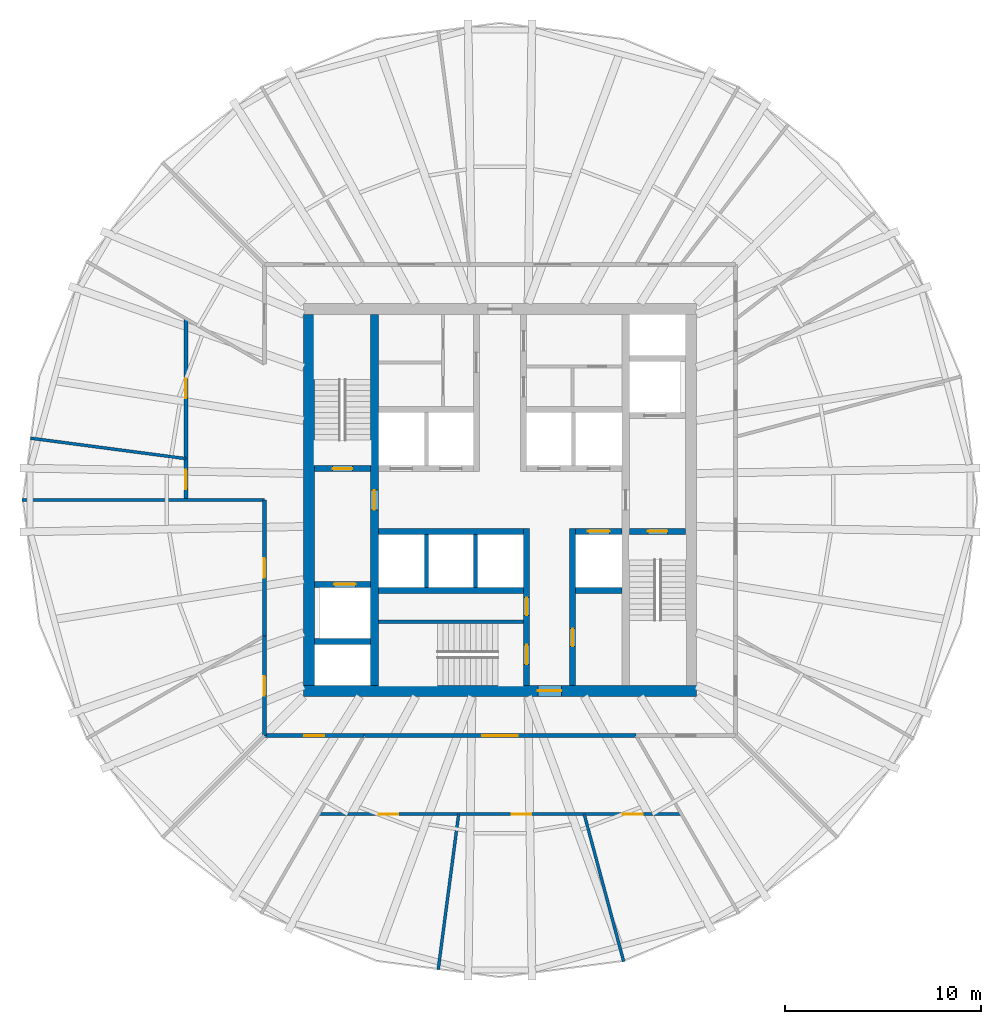
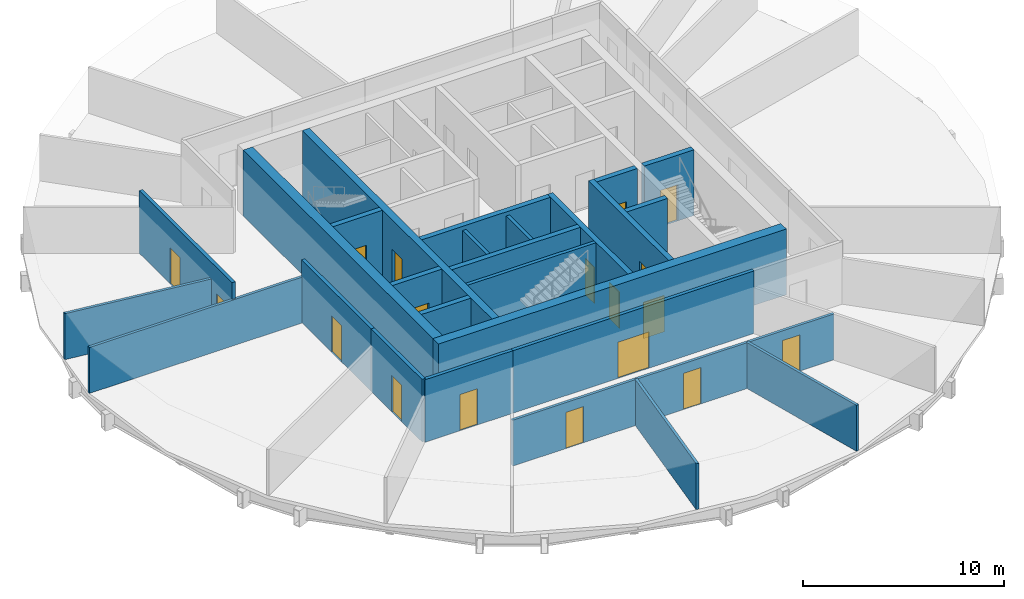
# One storey, part 3 of 6: 26 walls, 18 doors, 18 openings.
"""IFC4 building model written with IfcOpenShell, lengths in metres."""

from ifc_helpers import new_model, si_unit, direction, frame, frame_2d, origin, place, context, subcontext, project, spatial, rectangle, extrude, material, layer, layer_set, type_object, element, fill, save


model = new_model("IFC4")

# Units and contexts
model_context = context("Model", 3, precision=1e-05, world=origin(), true_north=direction((0.0, 1.0)))
body_context = subcontext(model_context, "Body", "Model", "MODEL_VIEW")
ifc_project = project(units=[si_unit("LENGTHUNIT", "METRE"), si_unit("AREAUNIT", "SQUARE_METRE"), si_unit("VOLUMEUNIT", "CUBIC_METRE"), si_unit("PLANEANGLEUNIT", "RADIAN"), si_unit("MASSUNIT", "GRAM", prefix="KILO")], contexts=[model_context])

# Site, building, storey
site_placement = place(None, origin())
site = spatial("IfcSite", under=ifc_project, at=site_placement, CompositionType="ELEMENT")
building_placement = place(site_placement, origin())
building = spatial("IfcBuilding", under=site, at=building_placement, Name="Golbaran Civic Tower", CompositionType="ELEMENT")
storey_placement = place(building_placement, frame((0.0, 0.0, 146.0)))
storey = spatial("IfcBuildingStorey", under=building, at=storey_placement, Name="L35", CompositionType="ELEMENT", Elevation=146.0)

# Wall, opening, door
ifc_material_1 = material(Name="Concrete C50/60", Category="concrete")
ifc_layer_1 = layer(ifc_material_1, 0.39990234375, Name="Concrete C50/60")
ifc_layer_set_1 = layer_set([ifc_layer_1], Name="Concrete C50/60")
wall_type_1 = type_object("IfcWallType", Name="CORE WALL CONCRETE 400", PredefinedType="SOLIDWALL", material=ifc_layer_set_1)
wall_1_placement = place(storey_placement, frame((-6.39990234375, -9.449951171875, 0.0), z_axis=(0.0, 0.0, 1.0), x_axis=(0.0, 1.0, 0.0)))
wall_1 = element("IfcWall", 1, at=wall_1_placement, inside=storey, type_object=wall_type_1, Name="Core wall IW L35", PredefinedType="SOLIDWALL", context=body_context, shape_type="SweptSolid", body=[
    extrude(rectangle(XDim=18.89990234375, YDim=0.39990234375, at=frame_2d((9.449951171875, 0.0))), origin(), (0.0, 0.0, 1.0), 4.0),
])
opening_1_placement = place(wall_1_placement, frame((8.949951171875, 0.0, 0.0)))
opening_1 = element("IfcOpeningElement", 2, at=opening_1_placement, cuts=wall_1, Name="Opening L35.FL1", PredefinedType="OPENING", context=body_context, shape_type="SweptSolid", body=[
    extrude(rectangle(XDim=1.0, YDim=2.199951171875, at=frame_2d((0.5, 1.10009765625))), frame((0.0, 0.2099609375, 0.0), z_axis=(0.0, -1.0, 0.0), x_axis=(1.0, 0.0, 0.0)), (0.0, 0.0, 1.0), 0.419921875),
])
ifc_material_2 = material(Name="Timber door set in steel frame", Category="steel")
door_type_1 = type_object("IfcDoorType", Name="STAIR DOOR 1000x2200", OperationType="SINGLE_SWING_LEFT", PredefinedType="DOOR", material=ifc_material_2)
door_1_placement = place(opening_1_placement, origin())
door_1 = element("IfcDoor", 3, at=door_1_placement, inside=storey, type_object=door_type_1, Name="Fire-fighting lobby FL1 door", OperationType="SINGLE_SWING_LEFT", OverallHeight=2.199951171875, OverallWidth=1.0, PredefinedType="DOOR", context=body_context, shape_type="SweptSolid", body=[
    extrude(rectangle(XDim=1.0, YDim=2.199951171875, at=frame_2d((0.5, 1.10009765625))), frame((0.0, 0.02490234375, 0.0), z_axis=(0.0, -1.0, 0.0), x_axis=(1.0, 0.0, 0.0)), (0.0, 0.0, 1.0), 0.050048828125),
])
fill(opening_1, door_1)

ifc_layer_2 = layer(ifc_material_1, 0.550048828125, Name="Concrete C50/60")
ifc_layer_set_2 = layer_set([ifc_layer_2], Name="Concrete C50/60")
wall_type_2 = type_object("IfcWallType", Name="CORE WALL CONCRETE 550", PredefinedType="SOLIDWALL", material=ifc_layer_set_2)
wall_2_placement = place(storey_placement, frame((10.0, -9.72509765625, 0.0), z_axis=(0.0, 0.0, 1.0), x_axis=(-1.0, 0.0, 0.0)))
wall_2 = element("IfcWall", 4, at=wall_2_placement, inside=storey, type_object=wall_type_2, Name="Core wall CS L35", PredefinedType="SOLIDWALL", context=body_context, shape_type="SweptSolid", body=[
    extrude(rectangle(XDim=20.0, YDim=0.550048828125, at=frame_2d((10.0, 0.0))), origin(), (0.0, 0.0, 1.0), 4.0),
])
opening_2_placement = place(wall_2_placement, frame((6.875, 0.0, 0.0)))
opening_2 = element("IfcOpeningElement", 5, at=opening_2_placement, cuts=wall_2, Name="Opening L35.CS", PredefinedType="OPENING", context=body_context, shape_type="SweptSolid", body=[
    extrude(rectangle(XDim=1.199951171875, YDim=2.199951171875, at=frame_2d((0.60009765625, 1.10009765625))), frame((0.0, 0.284912109375, 0.0), z_axis=(0.0, -1.0, 0.0), x_axis=(1.0, 0.0, 0.0)), (0.0, 0.0, 1.0), 0.570068359375),
])
door_type_2 = type_object("IfcDoorType", Name="CORE DOOR 1200x2200", OperationType="DOUBLE_DOOR_SINGLE_SWING", PredefinedType="DOOR", material=ifc_material_2)
door_2_placement = place(opening_2_placement, origin())
door_2 = element("IfcDoor", 6, at=door_2_placement, inside=storey, type_object=door_type_2, Name="Core door south", OperationType="DOUBLE_DOOR_SINGLE_SWING", OverallHeight=2.199951171875, OverallWidth=1.199951171875, PredefinedType="DOOR", context=body_context, shape_type="SweptSolid", body=[
    extrude(rectangle(XDim=1.199951171875, YDim=2.199951171875, at=frame_2d((0.60009765625, 1.10009765625))), frame((0.0, 0.02490234375, 0.0), z_axis=(0.0, -1.0, 0.0), x_axis=(1.0, 0.0, 0.0)), (0.0, 0.0, 1.0), 0.050048828125),
])
fill(opening_2, door_2)

# Wall
wall_3_placement = place(storey_placement, frame((-9.72509765625, 9.449951171875, 0.0), z_axis=(0.0, 0.0, 1.0), x_axis=(0.0, -1.0, 0.0)))
element("IfcWall", 7, at=wall_3_placement, inside=storey, type_object=wall_type_2, Name="Core wall CW L35", PredefinedType="SOLIDWALL", context=body_context, shape_type="SweptSolid", body=[
    extrude(rectangle(XDim=18.89990234375, YDim=0.550048828125, at=frame_2d((9.449951171875, 0.0))), origin(), (0.0, 0.0, 1.0), 4.0),
])

# Wall, opening, door
ifc_material_3 = material(Name="Gypsum board on steel studs, fire-rated", Category="steel")
ifc_layer_3 = layer(ifc_material_3, 0.199951171875, Name="Gypsum board on steel studs, fire-rated")
ifc_layer_set_3 = layer_set([ifc_layer_3], Name="Gypsum board on steel studs, fire-rated")
wall_type_3 = type_object("IfcWallType", Name="CORRIDOR WALL 200", PredefinedType="PARTITIONING", material=ifc_layer_set_3)
wall_4_placement = place(storey_placement, frame((-12.0, 0.0, 0.0), z_axis=(0.0, 0.0, 1.0), x_axis=(0.0, -1.0, 0.0)))
wall_4 = element("IfcWall", 8, at=wall_4_placement, inside=storey, type_object=wall_type_3, Name="Corridor wall L35", PredefinedType="PARTITIONING", context=body_context, shape_type="SweptSolid", body=[
    extrude(rectangle(XDim=6.92822265625, YDim=0.199951171875, at=frame_2d((3.464111328125, 0.0))), origin(), (0.0, 0.0, 1.0), 3.800048828125),
])
opening_3_placement = place(wall_4_placement, frame((2.964111328125, 0.0, 0.0)))
opening_3 = element("IfcOpeningElement", 9, at=opening_3_placement, cuts=wall_4, Name="Opening L35.16", PredefinedType="OPENING", context=body_context, shape_type="SweptSolid", body=[
    extrude(rectangle(XDim=1.0, YDim=2.199951171875, at=frame_2d((0.5, 1.10009765625))), frame((0.0, 0.10986328125, 0.0), z_axis=(0.0, -1.0, 0.0), x_axis=(1.0, 0.0, 0.0)), (0.0, 0.0, 1.0), 0.219970703125),
])
door_type_3 = type_object("IfcDoorType", Name="OFFICE DOOR 1000x2200", OperationType="SINGLE_SWING_LEFT", PredefinedType="DOOR", material=ifc_material_2)
door_3_placement = place(opening_3_placement, origin())
door_3 = element("IfcDoor", 10, at=door_3_placement, inside=storey, type_object=door_type_3, Name="Project Room door L35", OperationType="SINGLE_SWING_RIGHT", OverallHeight=2.199951171875, OverallWidth=1.0, PredefinedType="DOOR", context=body_context, shape_type="SweptSolid", body=[
    extrude(rectangle(XDim=1.0, YDim=2.199951171875, at=frame_2d((0.5, 1.10009765625))), frame((0.0, 0.02490234375, 0.0), z_axis=(0.0, -1.0, 0.0), x_axis=(1.0, 0.0, 0.0)), (0.0, 0.0, 1.0), 0.050048828125),
])
fill(opening_3, door_3)

wall_5_placement = place(storey_placement, frame((-12.0, -6.92822265625, 0.0), z_axis=(0.0, 0.0, 1.0), x_axis=(0.0, -1.0, 0.0)))
wall_5 = element("IfcWall", 11, at=wall_5_placement, inside=storey, type_object=wall_type_3, Name="Corridor wall L35", PredefinedType="PARTITIONING", context=body_context, shape_type="SweptSolid", body=[
    extrude(rectangle(XDim=5.07177734375, YDim=0.199951171875, at=frame_2d((2.535888671875, 0.0))), origin(), (0.0, 0.0, 1.0), 3.800048828125),
])
opening_4_placement = place(wall_5_placement, frame((2.035888671875, 0.0, 0.0)))
opening_4 = element("IfcOpeningElement", 12, at=opening_4_placement, cuts=wall_5, Name="Opening L35.17", PredefinedType="OPENING", context=body_context, shape_type="SweptSolid", body=[
    extrude(rectangle(XDim=1.0, YDim=2.199951171875, at=frame_2d((0.5, 1.10009765625))), frame((0.0, 0.10986328125, 0.0), z_axis=(0.0, -1.0, 0.0), x_axis=(1.0, 0.0, 0.0)), (0.0, 0.0, 1.0), 0.219970703125),
])
door_4_placement = place(opening_4_placement, origin())
door_4 = element("IfcDoor", 13, at=door_4_placement, inside=storey, type_object=door_type_3, Name="Print and Copy Room door L35", OperationType="SINGLE_SWING_RIGHT", OverallHeight=2.199951171875, OverallWidth=1.0, PredefinedType="DOOR", context=body_context, shape_type="SweptSolid", body=[
    extrude(rectangle(XDim=1.0, YDim=2.199951171875, at=frame_2d((0.5, 1.10009765625))), frame((0.0, 0.02490234375, 0.0), z_axis=(0.0, -1.0, 0.0), x_axis=(1.0, 0.0, 0.0)), (0.0, 0.0, 1.0), 0.050048828125),
])
fill(opening_4, door_4)

wall_6_placement = place(storey_placement, frame((-12.0, -12.0, 0.0), z_axis=(0.0, 0.0, 1.0), x_axis=(1.0, 0.0, 0.0)))
wall_6 = element("IfcWall", 14, at=wall_6_placement, inside=storey, type_object=wall_type_3, Name="Corridor wall L35", PredefinedType="PARTITIONING", context=body_context, shape_type="SweptSolid", body=[
    extrude(rectangle(XDim=5.07177734375, YDim=0.199951171875, at=frame_2d((2.535888671875, 0.0))), origin(), (0.0, 0.0, 1.0), 3.800048828125),
])
opening_5_placement = place(wall_6_placement, frame((2.035888671875, 0.0, 0.0)))
opening_5 = element("IfcOpeningElement", 15, at=opening_5_placement, cuts=wall_6, Name="Opening L35.18", PredefinedType="OPENING", context=body_context, shape_type="SweptSolid", body=[
    extrude(rectangle(XDim=1.0, YDim=2.199951171875, at=frame_2d((0.5, 1.10009765625))), frame((0.0, 0.10986328125, 0.0), z_axis=(0.0, -1.0, 0.0), x_axis=(1.0, 0.0, 0.0)), (0.0, 0.0, 1.0), 0.219970703125),
])
door_5_placement = place(opening_5_placement, origin())
door_5 = element("IfcDoor", 16, at=door_5_placement, inside=storey, type_object=door_type_3, Name="Store door L35", OperationType="SINGLE_SWING_LEFT", OverallHeight=2.199951171875, OverallWidth=1.0, PredefinedType="DOOR", context=body_context, shape_type="SweptSolid", body=[
    extrude(rectangle(XDim=1.0, YDim=2.199951171875, at=frame_2d((0.5, 1.10009765625))), frame((0.0, 0.02490234375, 0.0), z_axis=(0.0, -1.0, 0.0), x_axis=(1.0, 0.0, 0.0)), (0.0, 0.0, 1.0), 0.050048828125),
])
fill(opening_5, door_5)

wall_7_placement = place(storey_placement, frame((-6.92822265625, -12.0, 0.0), z_axis=(0.0, 0.0, 1.0), x_axis=(1.0, 0.0, 0.0)))
wall_7 = element("IfcWall", 17, at=wall_7_placement, inside=storey, type_object=wall_type_3, Name="Corridor wall L35", PredefinedType="PARTITIONING", context=body_context, shape_type="SweptSolid", body=[
    extrude(rectangle(XDim=13.8564453125, YDim=0.199951171875, at=frame_2d((6.92822265625, 0.0))), origin(), (0.0, 0.0, 1.0), 3.800048828125),
])
opening_6_placement = place(wall_7_placement, frame((6.0283203125, 0.0, 0.0)))
opening_6 = element("IfcOpeningElement", 18, at=opening_6_placement, cuts=wall_7, Name="Opening L35.19", PredefinedType="OPENING", context=body_context, shape_type="SweptSolid", body=[
    extrude(rectangle(XDim=1.800048828125, YDim=2.199951171875, at=frame_2d((0.89990234375, 1.10009765625))), frame((0.0, 0.10986328125, 0.0), z_axis=(0.0, -1.0, 0.0), x_axis=(1.0, 0.0, 0.0)), (0.0, 0.0, 1.0), 0.219970703125),
])
door_type_4 = type_object("IfcDoorType", Name="OFFICE DOUBLE DOOR 1800x2200", OperationType="DOUBLE_DOOR_SINGLE_SWING", PredefinedType="DOOR", material=ifc_material_2)
door_6_placement = place(opening_6_placement, origin())
door_6 = element("IfcDoor", 19, at=door_6_placement, inside=storey, type_object=door_type_4, Name="Secretariat door L35", OperationType="DOUBLE_DOOR_SINGLE_SWING", OverallHeight=2.199951171875, OverallWidth=1.800048828125, PredefinedType="DOOR", context=body_context, shape_type="SweptSolid", body=[
    extrude(rectangle(XDim=1.800048828125, YDim=2.199951171875, at=frame_2d((0.89990234375, 1.10009765625))), frame((0.0, 0.02490234375, 0.0), z_axis=(0.0, -1.0, 0.0), x_axis=(1.0, 0.0, 0.0)), (0.0, 0.0, 1.0), 0.050048828125),
])
fill(opening_6, door_6)

# Wall, openings, doors
ifc_material_4 = material(Name="Gypsum board on steel studs, fire-rated, glazed panels", Category="steel")
ifc_layer_4 = layer(ifc_material_4, 0.199951171875, Name="Gypsum board on steel studs, fire-rated, glazed panels")
ifc_layer_set_4 = layer_set([ifc_layer_4], Name="Gypsum board on steel studs, fire-rated, glazed panels")
wall_type_4 = type_object("IfcWallType", Name="GALLERY WALL 200", PredefinedType="PARTITIONING", material=ifc_layer_set_4)
wall_8_placement = place(storey_placement, frame((-16.0, 9.237548828125, 0.0), z_axis=(0.0, 0.0, 1.0), x_axis=(0.0, -1.0, 0.0)))
wall_8 = element("IfcWall", 20, at=wall_8_placement, inside=storey, type_object=wall_type_4, Name="Gallery wall L35", PredefinedType="PARTITIONING", context=body_context, shape_type="SweptSolid", body=[
    extrude(rectangle(XDim=9.237548828125, YDim=0.199951171875, at=frame_2d((4.61865234375, 0.0))), origin(), (0.0, 0.0, 1.0), 3.800048828125),
])
opening_7_placement = place(wall_8_placement, frame((3.065673828125, 0.0, 0.0)))
opening_7 = element("IfcOpeningElement", 21, at=opening_7_placement, cuts=wall_8, Name="Opening L35.02", PredefinedType="OPENING", context=body_context, shape_type="SweptSolid", body=[
    extrude(rectangle(XDim=1.0, YDim=2.199951171875, at=frame_2d((0.5, 1.10009765625))), frame((0.0, 0.10986328125, 0.0), z_axis=(0.0, -1.0, 0.0), x_axis=(1.0, 0.0, 0.0)), (0.0, 0.0, 1.0), 0.219970703125),
])
opening_8_placement = place(wall_8_placement, frame((7.684326171875, 0.0, 0.0)))
opening_8 = element("IfcOpeningElement", 22, at=opening_8_placement, cuts=wall_8, Name="Opening L35.03", PredefinedType="OPENING", context=body_context, shape_type="SweptSolid", body=[
    extrude(rectangle(XDim=1.0, YDim=2.199951171875, at=frame_2d((0.5, 1.10009765625))), frame((0.0, 0.10986328125, 0.0), z_axis=(0.0, -1.0, 0.0), x_axis=(1.0, 0.0, 0.0)), (0.0, 0.0, 1.0), 0.219970703125),
])
door_7_placement = place(opening_7_placement, origin())
door_7 = element("IfcDoor", 23, at=door_7_placement, inside=storey, type_object=door_type_3, Name="Office door L35", OperationType="SINGLE_SWING_LEFT", OverallHeight=2.199951171875, OverallWidth=1.0, PredefinedType="DOOR", context=body_context, shape_type="SweptSolid", body=[
    extrude(rectangle(XDim=1.0, YDim=2.199951171875, at=frame_2d((0.5, 1.10009765625))), frame((0.0, 0.02490234375, 0.0), z_axis=(0.0, -1.0, 0.0), x_axis=(1.0, 0.0, 0.0)), (0.0, 0.0, 1.0), 0.050048828125),
])
fill(opening_7, door_7)
door_8_placement = place(opening_8_placement, origin())
door_8 = element("IfcDoor", 24, at=door_8_placement, inside=storey, type_object=door_type_3, Name="Director's Office door L35", OperationType="SINGLE_SWING_RIGHT", OverallHeight=2.199951171875, OverallWidth=1.0, PredefinedType="DOOR", context=body_context, shape_type="SweptSolid", body=[
    extrude(rectangle(XDim=1.0, YDim=2.199951171875, at=frame_2d((0.5, 1.10009765625))), frame((0.0, 0.02490234375, 0.0), z_axis=(0.0, -1.0, 0.0), x_axis=(1.0, 0.0, 0.0)), (0.0, 0.0, 1.0), 0.050048828125),
])
fill(opening_8, door_8)

# Walls
ifc_material_5 = material(Name="Concrete block", Category="concrete")
ifc_layer_5 = layer(ifc_material_5, 0.199951171875, Name="Concrete block")
ifc_layer_set_5 = layer_set([ifc_layer_5], Name="Concrete block")
wall_type_5 = type_object("IfcWallType", Name="LIFT SEPARATOR WALL 200", PredefinedType="SOLIDWALL", material=ifc_layer_set_5)
for number, where, z_axis, x_axis, name in (
    (25, (-3.75, -1.75, 0.0), (0.0, 0.0, 1.0), (0.0, -1.0, 0.0), "Core partition SSW L35"),
    (26, (-1.25, -1.75, 0.0), (0.0, 0.0, 1.0), (0.0, -1.0, 0.0), "Core partition SSM L35"),
):
    element("IfcWall", number, at=place(storey_placement, frame(where, z_axis=z_axis, x_axis=x_axis)), inside=storey, type_object=wall_type_5, Name=name, PredefinedType="SOLIDWALL", context=body_context, shape_type="SweptSolid", body=[
        extrude(rectangle(XDim=2.699951171875, YDim=0.199951171875, at=frame_2d((1.35009765625, 0.0))), origin(), (0.0, 0.0, 1.0), 3.75),
    ])
ifc_material_6 = material(Name="Gypsum board on steel studs", Category="steel")
ifc_layer_6 = layer(ifc_material_6, 0.14990234375, Name="Gypsum board on steel studs")
ifc_layer_set_6 = layer_set([ifc_layer_6], Name="Gypsum board on steel studs")
wall_type_6 = type_object("IfcWallType", Name="OFFICE PARTITION 150", PredefinedType="PARTITIONING", material=ifc_layer_set_6)
wall_9_placement = place(storey_placement, frame((-12.0, 0.0, 0.0), z_axis=(0.0, 0.0, 1.0), x_axis=(-1.0, 0.0, 0.0)))
element("IfcWall", 27, at=wall_9_placement, inside=storey, type_object=wall_type_6, Name="Partition 180 L35", PredefinedType="PARTITIONING", context=body_context, shape_type="SweptSolid", body=[
    extrude(rectangle(XDim=12.334228515625, YDim=0.14990234375, at=frame_2d((6.1669921875, 0.0))), origin(), (0.0, 0.0, 1.0), 2.7900390625),
])
wall_10_placement = place(storey_placement, frame((-16.0, 2.1064453125, 0.0), z_axis=(0.0, 0.0, 1.0), x_axis=(-0.991443577351, 0.13053594497, 0.0)))
element("IfcWall", 28, at=wall_10_placement, inside=storey, type_object=wall_type_6, Name="Partition 172.5 L35", PredefinedType="PARTITIONING", context=body_context, shape_type="SweptSolid", body=[
    extrude(rectangle(XDim=7.988037109375, YDim=0.14990234375, at=frame_2d((3.994140625, 0.0))), origin(), (0.0, 0.0, 1.0), 2.7900390625),
])

# Wall, openings, doors
wall_11_placement = place(storey_placement, frame((-9.237548828125, -16.0, 0.0), z_axis=(0.0, 0.0, 1.0), x_axis=(1.0, 0.0, 0.0)))
wall_11 = element("IfcWall", 29, at=wall_11_placement, inside=storey, type_object=wall_type_6, Name="Suite partition L35", PredefinedType="PARTITIONING", context=body_context, shape_type="SweptSolid", body=[
    extrude(rectangle(XDim=18.47509765625, YDim=0.14990234375, at=frame_2d((9.237548828125, 0.0))), origin(), (0.0, 0.0, 1.0), 2.7900390625),
])
opening_9_placement = place(wall_11_placement, frame((3.065673828125, 0.0, 0.0)))
opening_9 = element("IfcOpeningElement", 30, at=opening_9_placement, cuts=wall_11, Name="Opening L35.04", PredefinedType="OPENING", context=body_context, shape_type="SweptSolid", body=[
    extrude(rectangle(XDim=1.0, YDim=2.199951171875, at=frame_2d((0.5, 1.10009765625))), frame((0.0, 0.0849609375, 0.0), z_axis=(0.0, -1.0, 0.0), x_axis=(1.0, 0.0, 0.0)), (0.0, 0.0, 1.0), 0.169921875),
])
opening_10_placement = place(wall_11_placement, frame((9.827880859375, 0.0, 0.0)))
opening_10 = element("IfcOpeningElement", 31, at=opening_10_placement, cuts=wall_11, Name="Opening L35.05", PredefinedType="OPENING", context=body_context, shape_type="SweptSolid", body=[
    extrude(rectangle(XDim=1.0, YDim=2.199951171875, at=frame_2d((0.5, 1.10009765625))), frame((0.0, 0.0849609375, 0.0), z_axis=(0.0, -1.0, 0.0), x_axis=(1.0, 0.0, 0.0)), (0.0, 0.0, 1.0), 0.169921875),
])
opening_11_placement = place(wall_11_placement, frame((15.5, 0.0, 0.0)))
opening_11 = element("IfcOpeningElement", 32, at=opening_11_placement, cuts=wall_11, Name="Opening L35.06", PredefinedType="OPENING", context=body_context, shape_type="SweptSolid", body=[
    extrude(rectangle(XDim=1.0, YDim=2.199951171875, at=frame_2d((0.5, 1.10009765625))), frame((0.0, 0.0849609375, 0.0), z_axis=(0.0, -1.0, 0.0), x_axis=(1.0, 0.0, 0.0)), (0.0, 0.0, 1.0), 0.169921875),
])
door_9_placement = place(opening_9_placement, origin())
door_9 = element("IfcDoor", 33, at=door_9_placement, inside=storey, type_object=door_type_3, Name="Office door L35", OperationType="SINGLE_SWING_LEFT", OverallHeight=2.199951171875, OverallWidth=1.0, PredefinedType="DOOR", context=body_context, shape_type="SweptSolid", body=[
    extrude(rectangle(XDim=1.0, YDim=2.199951171875, at=frame_2d((0.5, 1.10009765625))), frame((0.0, 0.02490234375, 0.0), z_axis=(0.0, -1.0, 0.0), x_axis=(1.0, 0.0, 0.0)), (0.0, 0.0, 1.0), 0.050048828125),
])
fill(opening_9, door_9)
door_10_placement = place(opening_10_placement, origin())
door_10 = element("IfcDoor", 34, at=door_10_placement, inside=storey, type_object=door_type_3, Name="Director's Office door L35", OperationType="SINGLE_SWING_RIGHT", OverallHeight=2.199951171875, OverallWidth=1.0, PredefinedType="DOOR", context=body_context, shape_type="SweptSolid", body=[
    extrude(rectangle(XDim=1.0, YDim=2.199951171875, at=frame_2d((0.5, 1.10009765625))), frame((0.0, 0.02490234375, 0.0), z_axis=(0.0, -1.0, 0.0), x_axis=(1.0, 0.0, 0.0)), (0.0, 0.0, 1.0), 0.050048828125),
])
fill(opening_10, door_10)
door_11_placement = place(opening_11_placement, origin())
door_11 = element("IfcDoor", 35, at=door_11_placement, inside=storey, type_object=door_type_3, Name="Office door L35", OperationType="SINGLE_SWING_RIGHT", OverallHeight=2.199951171875, OverallWidth=1.0, PredefinedType="DOOR", context=body_context, shape_type="SweptSolid", body=[
    extrude(rectangle(XDim=1.0, YDim=2.199951171875, at=frame_2d((0.5, 1.10009765625))), frame((0.0, 0.02490234375, 0.0), z_axis=(0.0, -1.0, 0.0), x_axis=(1.0, 0.0, 0.0)), (0.0, 0.0, 1.0), 0.050048828125),
])
fill(opening_11, door_11)

# Walls
wall_12_placement = place(storey_placement, frame((-2.1064453125, -16.0, 0.0), z_axis=(0.0, 0.0, 1.0), x_axis=(-0.13053594497, -0.991443577351, 0.0)))
element("IfcWall", 36, at=wall_12_placement, inside=storey, type_object=wall_type_6, Name="Partition 262.5 L35", PredefinedType="PARTITIONING", context=body_context, shape_type="SweptSolid", body=[
    extrude(rectangle(XDim=7.988037109375, YDim=0.14990234375, at=frame_2d((3.994140625, 0.0))), origin(), (0.0, 0.0, 1.0), 2.7900390625),
])
wall_13_placement = place(storey_placement, frame((4.287109375, -16.0, 0.0), z_axis=(0.0, 0.0, 1.0), x_axis=(0.25881827922, -0.965926031506, 0.0)))
element("IfcWall", 37, at=wall_13_placement, inside=storey, type_object=wall_type_6, Name="Partition 285 L35", PredefinedType="PARTITIONING", context=body_context, shape_type="SweptSolid", body=[
    extrude(rectangle(XDim=7.769775390625, YDim=0.14990234375, at=frame_2d((3.884765625, 0.0))), origin(), (0.0, 0.0, 1.0), 2.7900390625),
])
ifc_layer_7 = layer(ifc_material_1, 0.199951171875, Name="Concrete C50/60")
ifc_layer_set_7 = layer_set([ifc_layer_7], Name="Concrete C50/60")
wall_type_7 = type_object("IfcWallType", Name="SHAFT WALL CONCRETE 200", PredefinedType="SOLIDWALL", material=ifc_layer_set_7)
wall_14_placement = place(storey_placement, frame((-6.199951171875, -6.199951171875, 0.0), z_axis=(0.0, 0.0, 1.0), x_axis=(1.0, 0.0, 0.0)))
element("IfcWall", 38, at=wall_14_placement, inside=storey, type_object=wall_type_7, Name="Core wall S3N L35", PredefinedType="SOLIDWALL", context=body_context, shape_type="SweptSolid", body=[
    extrude(rectangle(XDim=7.39990234375, YDim=0.199951171875, at=frame_2d((3.699951171875, 0.0))), origin(), (0.0, 0.0, 1.0), 4.0),
])
ifc_layer_8 = layer(ifc_material_1, 0.300048828125, Name="Concrete C50/60")
ifc_layer_set_8 = layer_set([ifc_layer_8], Name="Concrete C50/60")
wall_type_8 = type_object("IfcWallType", Name="SHAFT WALL CONCRETE 300", PredefinedType="SOLIDWALL", material=ifc_layer_set_8)
wall_15_placement = place(storey_placement, frame((-6.199951171875, -1.60009765625, 0.0), z_axis=(0.0, 0.0, 1.0), x_axis=(1.0, 0.0, 0.0)))
element("IfcWall", 39, at=wall_15_placement, inside=storey, type_object=wall_type_8, Name="Core wall FSW L35", PredefinedType="SOLIDWALL", context=body_context, shape_type="SweptSolid", body=[
    extrude(rectangle(XDim=7.39990234375, YDim=0.300048828125, at=frame_2d((3.699951171875, 0.0))), origin(), (0.0, 0.0, 1.0), 4.0),
])

# Wall, opening, door
wall_16_placement = place(storey_placement, frame((3.85009765625, -1.60009765625, 0.0), z_axis=(0.0, 0.0, 1.0), x_axis=(1.0, 0.0, 0.0)))
wall_16 = element("IfcWall", 40, at=wall_16_placement, inside=storey, type_object=wall_type_8, Name="Core wall FSE L35", PredefinedType="SOLIDWALL", context=body_context, shape_type="SweptSolid", body=[
    extrude(rectangle(XDim=2.349853515625, YDim=0.300048828125, at=frame_2d((1.1748046875, 0.0))), origin(), (0.0, 0.0, 1.0), 4.0),
])
opening_12_placement = place(wall_16_placement, frame((0.625, 0.0, 0.0)))
opening_12 = element("IfcOpeningElement", 41, at=opening_12_placement, cuts=wall_16, Name="Opening L35.LD-V1", PredefinedType="OPENING", context=body_context, shape_type="SweptSolid", body=[
    extrude(rectangle(XDim=1.10009765625, YDim=2.199951171875, at=frame_2d((0.550048828125, 1.10009765625))), frame((0.0, 0.159912109375, 0.0), z_axis=(0.0, -1.0, 0.0), x_axis=(1.0, 0.0, 0.0)), (0.0, 0.0, 1.0), 0.320068359375),
])
ifc_material_7 = material(Name="Stainless steel", Category="steel")
door_type_5 = type_object("IfcDoorType", Name="LIFT LANDING DOOR 1100x2200", OperationType="SLIDING_TO_LEFT", PredefinedType="DOOR", material=ifc_material_7)
door_12_placement = place(opening_12_placement, origin())
door_12 = element("IfcDoor", 42, at=door_12_placement, inside=storey, type_object=door_type_5, Name="Lift landing door V1", OperationType="SLIDING_TO_LEFT", OverallHeight=2.199951171875, OverallWidth=1.10009765625, PredefinedType="DOOR", context=body_context, shape_type="SweptSolid", body=[
    extrude(rectangle(XDim=1.10009765625, YDim=2.199951171875, at=frame_2d((0.550048828125, 1.10009765625))), frame((0.0, 0.02490234375, 0.0), z_axis=(0.0, -1.0, 0.0), x_axis=(1.0, 0.0, 0.0)), (0.0, 0.0, 1.0), 0.050048828125),
])
fill(opening_12, door_12)

# Walls
wall_17_placement = place(storey_placement, frame((-6.199951171875, -4.60009765625, 0.0), z_axis=(0.0, 0.0, 1.0), x_axis=(1.0, 0.0, 0.0)))
element("IfcWall", 43, at=wall_17_placement, inside=storey, type_object=wall_type_8, Name="Core wall BSW L35", PredefinedType="SOLIDWALL", context=body_context, shape_type="SweptSolid", body=[
    extrude(rectangle(XDim=7.39990234375, YDim=0.300048828125, at=frame_2d((3.699951171875, 0.0))), origin(), (0.0, 0.0, 1.0), 4.0),
])
wall_18_placement = place(storey_placement, frame((3.85009765625, -4.60009765625, 0.0), z_axis=(0.0, 0.0, 1.0), x_axis=(1.0, 0.0, 0.0)))
element("IfcWall", 44, at=wall_18_placement, inside=storey, type_object=wall_type_8, Name="Core wall BSE L35", PredefinedType="SOLIDWALL", context=body_context, shape_type="SweptSolid", body=[
    extrude(rectangle(XDim=2.349853515625, YDim=0.300048828125, at=frame_2d((1.1748046875, 0.0))), origin(), (0.0, 0.0, 1.0), 4.0),
])

# Wall, openings, doors
wall_19_placement = place(storey_placement, frame((1.35009765625, -1.449951171875, 0.0), z_axis=(0.0, 0.0, 1.0), x_axis=(0.0, -1.0, 0.0)))
wall_19 = element("IfcWall", 45, at=wall_19_placement, inside=storey, type_object=wall_type_8, Name="Core wall PSW L35", PredefinedType="SOLIDWALL", context=body_context, shape_type="SweptSolid", body=[
    extrude(rectangle(XDim=8.0, YDim=0.300048828125, at=frame_2d((4.0, 0.0))), origin(), (0.0, 0.0, 1.0), 4.0),
])
opening_13_placement = place(wall_19_placement, frame((5.925048828125, 0.0, 0.0)))
opening_13 = element("IfcOpeningElement", 46, at=opening_13_placement, cuts=wall_19, Name="Opening L35.S3", PredefinedType="OPENING", context=body_context, shape_type="SweptSolid", body=[
    extrude(rectangle(XDim=1.0, YDim=2.199951171875, at=frame_2d((0.5, 1.10009765625))), frame((0.0, 0.159912109375, 0.0), z_axis=(0.0, -1.0, 0.0), x_axis=(1.0, 0.0, 0.0)), (0.0, 0.0, 1.0), 0.320068359375),
])
opening_14_placement = place(wall_19_placement, frame((3.52490234375, 0.0, 0.0)))
opening_14 = element("IfcOpeningElement", 47, at=opening_14_placement, cuts=wall_19, Name="Opening L35.RE", PredefinedType="OPENING", context=body_context, shape_type="SweptSolid", body=[
    extrude(rectangle(XDim=0.89990234375, YDim=2.199951171875, at=frame_2d((0.449951171875, 1.10009765625))), frame((0.0, 0.159912109375, 0.0), z_axis=(0.0, -1.0, 0.0), x_axis=(1.0, 0.0, 0.0)), (0.0, 0.0, 1.0), 0.320068359375),
])
door_type_6 = type_object("IfcDoorType", Name="RISER DOOR 900x2200", OperationType="SINGLE_SWING_LEFT", PredefinedType="DOOR", material=ifc_material_2)
door_13_placement = place(opening_14_placement, origin())
door_13 = element("IfcDoor", 48, at=door_13_placement, inside=storey, type_object=door_type_6, Name="Electrical riser door", OperationType="SINGLE_SWING_LEFT", OverallHeight=2.199951171875, OverallWidth=0.89990234375, PredefinedType="DOOR", context=body_context, shape_type="SweptSolid", body=[
    extrude(rectangle(XDim=0.89990234375, YDim=2.199951171875, at=frame_2d((0.449951171875, 1.10009765625))), frame((0.0, 0.02490234375, 0.0), z_axis=(0.0, -1.0, 0.0), x_axis=(1.0, 0.0, 0.0)), (0.0, 0.0, 1.0), 0.050048828125),
])
fill(opening_14, door_13)
door_14_placement = place(opening_13_placement, origin())
door_14 = element("IfcDoor", 49, at=door_14_placement, inside=storey, type_object=door_type_1, Name="Stair S3 door", OperationType="SINGLE_SWING_RIGHT", OverallHeight=2.199951171875, OverallWidth=1.0, PredefinedType="DOOR", context=body_context, shape_type="SweptSolid", body=[
    extrude(rectangle(XDim=1.0, YDim=2.199951171875, at=frame_2d((0.5, 1.10009765625))), frame((0.0, 0.02490234375, 0.0), z_axis=(0.0, -1.0, 0.0), x_axis=(1.0, 0.0, 0.0)), (0.0, 0.0, 1.0), 0.050048828125),
])
fill(opening_13, door_14)

# Wall, opening, door
wall_20_placement = place(storey_placement, frame((3.699951171875, -1.449951171875, 0.0), z_axis=(0.0, 0.0, 1.0), x_axis=(0.0, -1.0, 0.0)))
wall_20 = element("IfcWall", 50, at=wall_20_placement, inside=storey, type_object=wall_type_8, Name="Core wall PSE L35", PredefinedType="SOLIDWALL", context=body_context, shape_type="SweptSolid", body=[
    extrude(rectangle(XDim=8.0, YDim=0.300048828125, at=frame_2d((4.0, 0.0))), origin(), (0.0, 0.0, 1.0), 4.0),
])
opening_15_placement = place(wall_20_placement, frame((5.10009765625, 0.0, 0.0)))
opening_15 = element("IfcOpeningElement", 51, at=opening_15_placement, cuts=wall_20, Name="Opening L35.RM", PredefinedType="OPENING", context=body_context, shape_type="SweptSolid", body=[
    extrude(rectangle(XDim=0.89990234375, YDim=2.199951171875, at=frame_2d((0.449951171875, 1.10009765625))), frame((0.0, 0.159912109375, 0.0), z_axis=(0.0, -1.0, 0.0), x_axis=(1.0, 0.0, 0.0)), (0.0, 0.0, 1.0), 0.320068359375),
])
door_15_placement = place(opening_15_placement, origin())
door_15 = element("IfcDoor", 52, at=door_15_placement, inside=storey, type_object=door_type_6, Name="Mechanical riser door", OperationType="SINGLE_SWING_RIGHT", OverallHeight=2.199951171875, OverallWidth=0.89990234375, PredefinedType="DOOR", context=body_context, shape_type="SweptSolid", body=[
    extrude(rectangle(XDim=0.89990234375, YDim=2.199951171875, at=frame_2d((0.449951171875, 1.10009765625))), frame((0.0, 0.02490234375, 0.0), z_axis=(0.0, -1.0, 0.0), x_axis=(1.0, 0.0, 0.0)), (0.0, 0.0, 1.0), 0.050048828125),
])
fill(opening_15, door_15)

wall_21_placement = place(storey_placement, frame((-9.449951171875, 1.60009765625, 0.0), z_axis=(0.0, 0.0, 1.0), x_axis=(1.0, 0.0, 0.0)))
wall_21 = element("IfcWall", 53, at=wall_21_placement, inside=storey, type_object=wall_type_8, Name="Core wall XW1 L35", PredefinedType="SOLIDWALL", context=body_context, shape_type="SweptSolid", body=[
    extrude(rectangle(XDim=2.849853515625, YDim=0.300048828125, at=frame_2d((1.4248046875, 0.0))), origin(), (0.0, 0.0, 1.0), 4.0),
])
opening_16_placement = place(wall_21_placement, frame((0.925048828125, 0.0, 0.0)))
opening_16 = element("IfcOpeningElement", 54, at=opening_16_placement, cuts=wall_21, Name="Opening L35.S1", PredefinedType="OPENING", context=body_context, shape_type="SweptSolid", body=[
    extrude(rectangle(XDim=1.0, YDim=2.199951171875, at=frame_2d((0.5, 1.10009765625))), frame((0.0, 0.159912109375, 0.0), z_axis=(0.0, -1.0, 0.0), x_axis=(1.0, 0.0, 0.0)), (0.0, 0.0, 1.0), 0.320068359375),
])
door_16_placement = place(opening_16_placement, origin())
door_16 = element("IfcDoor", 55, at=door_16_placement, inside=storey, type_object=door_type_1, Name="Stair S1 door", OperationType="SINGLE_SWING_LEFT", OverallHeight=2.199951171875, OverallWidth=1.0, PredefinedType="DOOR", context=body_context, shape_type="SweptSolid", body=[
    extrude(rectangle(XDim=1.0, YDim=2.199951171875, at=frame_2d((0.5, 1.10009765625))), frame((0.0, 0.02490234375, 0.0), z_axis=(0.0, -1.0, 0.0), x_axis=(1.0, 0.0, 0.0)), (0.0, 0.0, 1.0), 0.050048828125),
])
fill(opening_16, door_16)

wall_22_placement = place(storey_placement, frame((6.60009765625, -1.60009765625, 0.0), z_axis=(0.0, 0.0, 1.0), x_axis=(1.0, 0.0, 0.0)))
wall_22 = element("IfcWall", 56, at=wall_22_placement, inside=storey, type_object=wall_type_8, Name="Core wall XE1 L35", PredefinedType="SOLIDWALL", context=body_context, shape_type="SweptSolid", body=[
    extrude(rectangle(XDim=2.849853515625, YDim=0.300048828125, at=frame_2d((1.4248046875, 0.0))), origin(), (0.0, 0.0, 1.0), 4.0),
])
opening_17_placement = place(wall_22_placement, frame((0.925048828125, 0.0, 0.0)))
opening_17 = element("IfcOpeningElement", 57, at=opening_17_placement, cuts=wall_22, Name="Opening L35.S2", PredefinedType="OPENING", context=body_context, shape_type="SweptSolid", body=[
    extrude(rectangle(XDim=1.0, YDim=2.199951171875, at=frame_2d((0.5, 1.10009765625))), frame((0.0, 0.159912109375, 0.0), z_axis=(0.0, -1.0, 0.0), x_axis=(1.0, 0.0, 0.0)), (0.0, 0.0, 1.0), 0.320068359375),
])
door_17_placement = place(opening_17_placement, origin())
door_17 = element("IfcDoor", 58, at=door_17_placement, inside=storey, type_object=door_type_1, Name="Stair S2 door", OperationType="SINGLE_SWING_LEFT", OverallHeight=2.199951171875, OverallWidth=1.0, PredefinedType="DOOR", context=body_context, shape_type="SweptSolid", body=[
    extrude(rectangle(XDim=1.0, YDim=2.199951171875, at=frame_2d((0.5, 1.10009765625))), frame((0.0, 0.02490234375, 0.0), z_axis=(0.0, -1.0, 0.0), x_axis=(1.0, 0.0, 0.0)), (0.0, 0.0, 1.0), 0.050048828125),
])
fill(opening_17, door_17)

wall_23_placement = place(storey_placement, frame((-9.449951171875, -4.300048828125, 0.0), z_axis=(0.0, 0.0, 1.0), x_axis=(1.0, 0.0, 0.0)))
wall_23 = element("IfcWall", 59, at=wall_23_placement, inside=storey, type_object=wall_type_8, Name="Core wall XW2 L35", PredefinedType="SOLIDWALL", context=body_context, shape_type="SweptSolid", body=[
    extrude(rectangle(XDim=2.849853515625, YDim=0.300048828125, at=frame_2d((1.4248046875, 0.0))), origin(), (0.0, 0.0, 1.0), 4.0),
])
opening_18_placement = place(wall_23_placement, frame((1.0, 0.0, 0.0)))
opening_18 = element("IfcOpeningElement", 60, at=opening_18_placement, cuts=wall_23, Name="Opening L35.LD-F1", PredefinedType="OPENING", context=body_context, shape_type="SweptSolid", body=[
    extrude(rectangle(XDim=1.10009765625, YDim=2.199951171875, at=frame_2d((0.550048828125, 1.10009765625))), frame((0.0, 0.159912109375, 0.0), z_axis=(0.0, -1.0, 0.0), x_axis=(1.0, 0.0, 0.0)), (0.0, 0.0, 1.0), 0.320068359375),
])
door_18_placement = place(opening_18_placement, origin())
door_18 = element("IfcDoor", 61, at=door_18_placement, inside=storey, type_object=door_type_5, Name="Lift landing door F1", OperationType="SLIDING_TO_LEFT", OverallHeight=2.199951171875, OverallWidth=1.10009765625, PredefinedType="DOOR", context=body_context, shape_type="SweptSolid", body=[
    extrude(rectangle(XDim=1.10009765625, YDim=2.199951171875, at=frame_2d((0.550048828125, 1.10009765625))), frame((0.0, 0.02490234375, 0.0), z_axis=(0.0, -1.0, 0.0), x_axis=(1.0, 0.0, 0.0)), (0.0, 0.0, 1.0), 0.050048828125),
])
fill(opening_18, door_18)

# Wall
wall_24_placement = place(storey_placement, frame((-9.449951171875, -7.199951171875, 0.0), z_axis=(0.0, 0.0, 1.0), x_axis=(1.0, 0.0, 0.0)))
element("IfcWall", 62, at=wall_24_placement, inside=storey, type_object=wall_type_8, Name="Core wall XW3 L35", PredefinedType="SOLIDWALL", context=body_context, shape_type="SweptSolid", body=[
    extrude(rectangle(XDim=2.849853515625, YDim=0.300048828125, at=frame_2d((1.4248046875, 0.0))), origin(), (0.0, 0.0, 1.0), 4.0),
])

save(model, "model.ifc")
